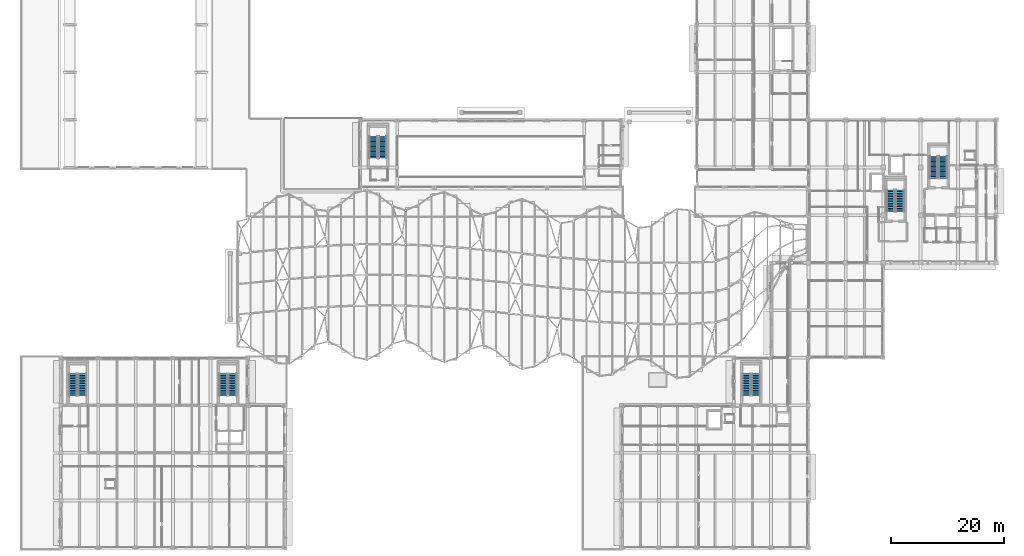
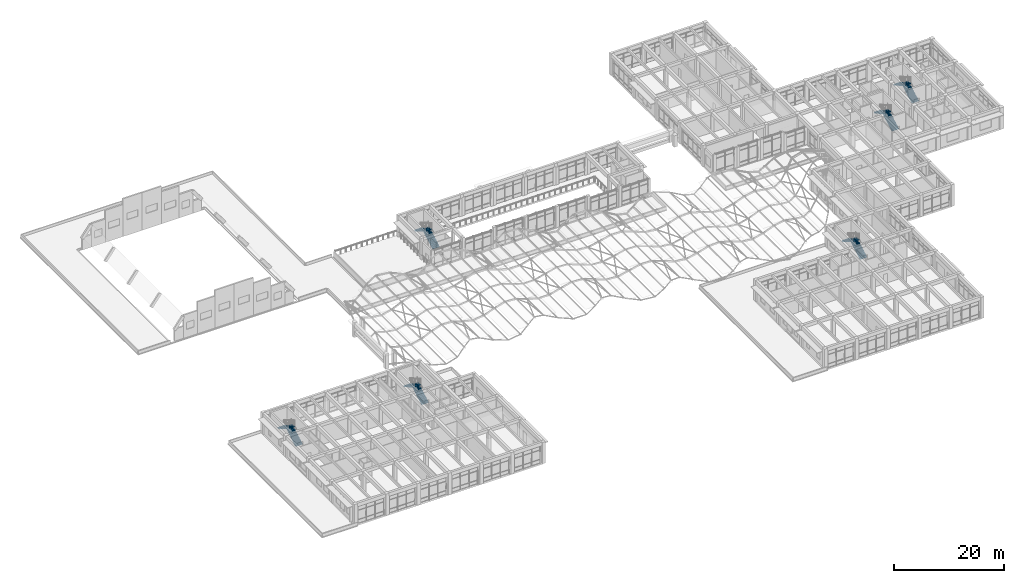
# One storey, part 62 of 79: 12 stair flights, 6 elements without a shape of their own.
"""IFC4 building model written with IfcOpenShell, lengths in metres."""

from ifc_helpers import new_model, si_unit, direction, frame, origin, place, context, subcontext, project, spatial, polyline, outline, extrude, material, type_object, element, aggregate, save


model = new_model("IFC4")

# Units and contexts
model_context = context("Model", 3, precision=1e-05, world=origin(), true_north=direction((0.0, 1.0)))
body_context = subcontext(model_context, "Body", "Model", "MODEL_VIEW")
ifc_project = project(units=[si_unit("LENGTHUNIT", "METRE"), si_unit("AREAUNIT", "SQUARE_METRE"), si_unit("VOLUMEUNIT", "CUBIC_METRE"), si_unit("PLANEANGLEUNIT", "RADIAN"), si_unit("MASSUNIT", "GRAM", prefix="KILO")], contexts=[model_context])

# Site, building, storey
site_placement = place(None, origin())
site = spatial("IfcSite", under=ifc_project, at=site_placement, CompositionType="ELEMENT")
building_placement = place(site_placement, origin())
building = spatial("IfcBuilding", under=site, at=building_placement, Name="Kolvaren Faculty of Natural Sciences", CompositionType="ELEMENT")
storey_placement = place(building_placement, frame((0.0, 0.0, 10.199951171875)))
storey = spatial("IfcBuildingStorey", under=building, at=storey_placement, Name="L02", CompositionType="ELEMENT", Elevation=10.199951171875)

# Stair, stair flights
ifc_material = material(Name="Concrete C35/45", Category="concrete")
stair_type = type_object("IfcStairType", Name="DoglegStair_H4800", PredefinedType="HALF_TURN_STAIR", material=ifc_material)
stair_1_placement = place(storey_placement, origin())
stair_1 = element("IfcStair", 1, at=stair_1_placement, inside=storey, type_object=stair_type, Name="L02 Protected exit stair ST-1", PredefinedType="HALF_TURN_STAIR")
stair_flight_type = type_object("IfcStairFlightType", Name="StairFlight_R1714", PredefinedType="STRAIGHT", material=ifc_material)
stair_flight_1_placement = place(storey_placement, frame((162.574951171875, 73.89990234375, 0.0), z_axis=(0.0, 0.0, 1.0), x_axis=(0.0, 1.0, 0.0)))
stair_flight_1 = element("IfcStairFlight", 2, at=stair_flight_1_placement, type_object=stair_flight_type, Name="ST-1 flight 1", NumberOfRisers=14, NumberOfTreads=13, PredefinedType="STRAIGHT", RiserHeight=0.171428571, TreadLength=0.295, context=body_context, shape_type="SweptSolid", body=[
    extrude(outline(polyline([(0.0, 0.0), (0.0, 0.17138671875), (0.294921875, 0.17138671875), (0.294921875, 0.3427734375), (0.590087890625, 0.3427734375), (0.590087890625, 0.514404296875), (0.885009765625, 0.514404296875), (0.885009765625, 0.685791015625), (1.179931640625, 0.685791015625), (1.179931640625, 0.857177734375), (1.47509765625, 0.857177734375), (1.47509765625, 1.028564453125), (1.77001953125, 1.028564453125), (1.77001953125, 1.199951171875), (2.06494140625, 1.199951171875), (2.06494140625, 1.371337890625), (2.360107421875, 1.371337890625), (2.360107421875, 1.54296875), (2.655029296875, 1.54296875), (2.655029296875, 1.71435546875), (2.949951171875, 1.71435546875), (2.949951171875, 1.8857421875), (3.2451171875, 1.8857421875), (3.2451171875, 2.05712890625), (3.5400390625, 2.05712890625), (3.5400390625, 2.228515625), (3.8349609375, 2.228515625), (3.8349609375, 2.39990234375), (3.8349609375, 2.05517578125), (0.29833984375, 0.0), (0.0, 0.0)])), frame((0.0, 0.72509765625, 0.0), z_axis=(0.0, -1.0, 0.0), x_axis=(1.0, 0.0, 0.0)), (0.0, 0.0, 1.0), 1.449951171875),
])
stair_flight_2_placement = place(storey_placement, frame((160.925048828125, 77.735107421875, 2.400146484375), z_axis=(0.0, 0.0, 1.0), x_axis=(0.0, -1.0, 0.0)))
stair_flight_2 = element("IfcStairFlight", 3, at=stair_flight_2_placement, type_object=stair_flight_type, Name="ST-1 flight 2", NumberOfRisers=14, NumberOfTreads=13, PredefinedType="STRAIGHT", RiserHeight=0.171428571, TreadLength=0.295, context=body_context, shape_type="SweptSolid", body=[
    extrude(outline(polyline([(0.0, 0.0), (0.0, 0.17138671875), (0.294921875, 0.17138671875), (0.294921875, 0.3427734375), (0.590087890625, 0.3427734375), (0.590087890625, 0.514404296875), (0.885009765625, 0.514404296875), (0.885009765625, 0.685791015625), (1.179931640625, 0.685791015625), (1.179931640625, 0.857177734375), (1.47509765625, 0.857177734375), (1.47509765625, 1.028564453125), (1.77001953125, 1.028564453125), (1.77001953125, 1.199951171875), (2.06494140625, 1.199951171875), (2.06494140625, 1.371337890625), (2.360107421875, 1.371337890625), (2.360107421875, 1.54296875), (2.655029296875, 1.54296875), (2.655029296875, 1.71435546875), (2.949951171875, 1.71435546875), (2.949951171875, 1.8857421875), (3.2451171875, 1.8857421875), (3.2451171875, 2.05712890625), (3.5400390625, 2.05712890625), (3.5400390625, 2.228515625), (3.8349609375, 2.228515625), (3.8349609375, 2.39990234375), (3.8349609375, 2.05517578125), (0.29833984375, 0.0), (0.0, 0.0)])), frame((0.0, 0.72509765625, 0.0), z_axis=(0.0, -1.0, 0.0), x_axis=(1.0, 0.0, 0.0)), (0.0, 0.0, 1.0), 1.449951171875),
])
aggregate(stair_1, [stair_flight_1, stair_flight_2])

stair_2_placement = place(storey_placement, origin())
stair_2 = element("IfcStair", 4, at=stair_2_placement, inside=storey, type_object=stair_type, Name="L02 Protected exit stair ST-2", PredefinedType="HALF_TURN_STAIR")
stair_flight_3_placement = place(storey_placement, frame((154.97509765625, 68.0, 0.0), z_axis=(0.0, 0.0, 1.0), x_axis=(0.0, 1.0, 0.0)))
stair_flight_3 = element("IfcStairFlight", 5, at=stair_flight_3_placement, type_object=stair_flight_type, Name="ST-2 flight 1", NumberOfRisers=14, NumberOfTreads=13, PredefinedType="STRAIGHT", RiserHeight=0.171428571, TreadLength=0.295, context=body_context, shape_type="SweptSolid", body=[
    extrude(outline(polyline([(0.0, 0.0), (0.0, 0.17138671875), (0.294921875, 0.17138671875), (0.294921875, 0.3427734375), (0.590087890625, 0.3427734375), (0.590087890625, 0.514404296875), (0.885009765625, 0.514404296875), (0.885009765625, 0.685791015625), (1.179931640625, 0.685791015625), (1.179931640625, 0.857177734375), (1.47509765625, 0.857177734375), (1.47509765625, 1.028564453125), (1.77001953125, 1.028564453125), (1.77001953125, 1.199951171875), (2.06494140625, 1.199951171875), (2.06494140625, 1.371337890625), (2.360107421875, 1.371337890625), (2.360107421875, 1.54296875), (2.655029296875, 1.54296875), (2.655029296875, 1.71435546875), (2.949951171875, 1.71435546875), (2.949951171875, 1.8857421875), (3.2451171875, 1.8857421875), (3.2451171875, 2.05712890625), (3.5400390625, 2.05712890625), (3.5400390625, 2.228515625), (3.8349609375, 2.228515625), (3.8349609375, 2.39990234375), (3.8349609375, 2.05517578125), (0.29833984375, 0.0), (0.0, 0.0)])), frame((0.0, 0.72509765625, 0.0), z_axis=(0.0, -1.0, 0.0), x_axis=(1.0, 0.0, 0.0)), (0.0, 0.0, 1.0), 1.449951171875),
])
stair_flight_4_placement = place(storey_placement, frame((153.324951171875, 71.8349609375, 2.400146484375), z_axis=(0.0, 0.0, 1.0), x_axis=(0.0, -1.0, 0.0)))
stair_flight_4 = element("IfcStairFlight", 6, at=stair_flight_4_placement, type_object=stair_flight_type, Name="ST-2 flight 2", NumberOfRisers=14, NumberOfTreads=13, PredefinedType="STRAIGHT", RiserHeight=0.171428571, TreadLength=0.295, context=body_context, shape_type="SweptSolid", body=[
    extrude(outline(polyline([(0.0, 0.0), (0.0, 0.17138671875), (0.294921875, 0.17138671875), (0.294921875, 0.3427734375), (0.590087890625, 0.3427734375), (0.590087890625, 0.514404296875), (0.885009765625, 0.514404296875), (0.885009765625, 0.685791015625), (1.179931640625, 0.685791015625), (1.179931640625, 0.857177734375), (1.47509765625, 0.857177734375), (1.47509765625, 1.028564453125), (1.77001953125, 1.028564453125), (1.77001953125, 1.199951171875), (2.06494140625, 1.199951171875), (2.06494140625, 1.371337890625), (2.360107421875, 1.371337890625), (2.360107421875, 1.54296875), (2.655029296875, 1.54296875), (2.655029296875, 1.71435546875), (2.949951171875, 1.71435546875), (2.949951171875, 1.8857421875), (3.2451171875, 1.8857421875), (3.2451171875, 2.05712890625), (3.5400390625, 2.05712890625), (3.5400390625, 2.228515625), (3.8349609375, 2.228515625), (3.8349609375, 2.39990234375), (3.8349609375, 2.05517578125), (0.29833984375, 0.0), (0.0, 0.0)])), frame((0.0, 0.72509765625, 0.0), z_axis=(0.0, -1.0, 0.0), x_axis=(1.0, 0.0, 0.0)), (0.0, 0.0, 1.0), 1.449951171875),
])
aggregate(stair_2, [stair_flight_3, stair_flight_4])

stair_3_placement = place(storey_placement, origin())
stair_3 = element("IfcStair", 7, at=stair_3_placement, inside=storey, type_object=stair_type, Name="L02 Protected exit stair ST-3", PredefinedType="HALF_TURN_STAIR")
stair_flight_5_placement = place(storey_placement, frame((129.52490234375, 35.550048828125, 0.0), z_axis=(0.0, 0.0, 1.0), x_axis=(0.0, 1.0, 0.0)))
stair_flight_5 = element("IfcStairFlight", 8, at=stair_flight_5_placement, type_object=stair_flight_type, Name="ST-3 flight 1", NumberOfRisers=14, NumberOfTreads=13, PredefinedType="STRAIGHT", RiserHeight=0.171428571, TreadLength=0.295, context=body_context, shape_type="SweptSolid", body=[
    extrude(outline(polyline([(0.0, 0.0), (0.0, 0.17138671875), (0.294921875, 0.17138671875), (0.294921875, 0.3427734375), (0.590087890625, 0.3427734375), (0.590087890625, 0.514404296875), (0.885009765625, 0.514404296875), (0.885009765625, 0.685791015625), (1.179931640625, 0.685791015625), (1.179931640625, 0.857177734375), (1.47509765625, 0.857177734375), (1.47509765625, 1.028564453125), (1.77001953125, 1.028564453125), (1.77001953125, 1.199951171875), (2.06494140625, 1.199951171875), (2.06494140625, 1.371337890625), (2.360107421875, 1.371337890625), (2.360107421875, 1.54296875), (2.655029296875, 1.54296875), (2.655029296875, 1.71435546875), (2.949951171875, 1.71435546875), (2.949951171875, 1.8857421875), (3.2451171875, 1.8857421875), (3.2451171875, 2.05712890625), (3.5400390625, 2.05712890625), (3.5400390625, 2.228515625), (3.8349609375, 2.228515625), (3.8349609375, 2.39990234375), (3.8349609375, 2.05517578125), (0.29833984375, 0.0), (0.0, 0.0)])), frame((0.0, 0.72509765625, 0.0), z_axis=(0.0, -1.0, 0.0), x_axis=(1.0, 0.0, 0.0)), (0.0, 0.0, 1.0), 1.449951171875),
])
stair_flight_6_placement = place(storey_placement, frame((127.875, 39.385009765625, 2.400146484375), z_axis=(0.0, 0.0, 1.0), x_axis=(0.0, -1.0, 0.0)))
stair_flight_6 = element("IfcStairFlight", 9, at=stair_flight_6_placement, type_object=stair_flight_type, Name="ST-3 flight 2", NumberOfRisers=14, NumberOfTreads=13, PredefinedType="STRAIGHT", RiserHeight=0.171428571, TreadLength=0.295, context=body_context, shape_type="SweptSolid", body=[
    extrude(outline(polyline([(0.0, 0.0), (0.0, 0.17138671875), (0.294921875, 0.17138671875), (0.294921875, 0.3427734375), (0.590087890625, 0.3427734375), (0.590087890625, 0.514404296875), (0.885009765625, 0.514404296875), (0.885009765625, 0.685791015625), (1.179931640625, 0.685791015625), (1.179931640625, 0.857177734375), (1.47509765625, 0.857177734375), (1.47509765625, 1.028564453125), (1.77001953125, 1.028564453125), (1.77001953125, 1.199951171875), (2.06494140625, 1.199951171875), (2.06494140625, 1.371337890625), (2.360107421875, 1.371337890625), (2.360107421875, 1.54296875), (2.655029296875, 1.54296875), (2.655029296875, 1.71435546875), (2.949951171875, 1.71435546875), (2.949951171875, 1.8857421875), (3.2451171875, 1.8857421875), (3.2451171875, 2.05712890625), (3.5400390625, 2.05712890625), (3.5400390625, 2.228515625), (3.8349609375, 2.228515625), (3.8349609375, 2.39990234375), (3.8349609375, 2.05517578125), (0.29833984375, 0.0), (0.0, 0.0)])), frame((0.0, 0.72509765625, 0.0), z_axis=(0.0, -1.0, 0.0), x_axis=(1.0, 0.0, 0.0)), (0.0, 0.0, 1.0), 1.449951171875),
])
aggregate(stair_3, [stair_flight_5, stair_flight_6])

stair_4_placement = place(storey_placement, origin())
stair_4 = element("IfcStair", 10, at=stair_4_placement, inside=storey, type_object=stair_type, Name="L02 Protected exit stair ST-4", PredefinedType="HALF_TURN_STAIR")
stair_flight_7_placement = place(storey_placement, frame((37.125, 35.550048828125, 0.0), z_axis=(0.0, 0.0, 1.0), x_axis=(0.0, 1.0, 0.0)))
stair_flight_7 = element("IfcStairFlight", 11, at=stair_flight_7_placement, type_object=stair_flight_type, Name="ST-4 flight 1", NumberOfRisers=14, NumberOfTreads=13, PredefinedType="STRAIGHT", RiserHeight=0.171428571, TreadLength=0.295, context=body_context, shape_type="SweptSolid", body=[
    extrude(outline(polyline([(0.0, 0.0), (0.0, 0.17138671875), (0.294921875, 0.17138671875), (0.294921875, 0.3427734375), (0.590087890625, 0.3427734375), (0.590087890625, 0.514404296875), (0.885009765625, 0.514404296875), (0.885009765625, 0.685791015625), (1.179931640625, 0.685791015625), (1.179931640625, 0.857177734375), (1.47509765625, 0.857177734375), (1.47509765625, 1.028564453125), (1.77001953125, 1.028564453125), (1.77001953125, 1.199951171875), (2.06494140625, 1.199951171875), (2.06494140625, 1.371337890625), (2.360107421875, 1.371337890625), (2.360107421875, 1.54296875), (2.655029296875, 1.54296875), (2.655029296875, 1.71435546875), (2.949951171875, 1.71435546875), (2.949951171875, 1.8857421875), (3.2451171875, 1.8857421875), (3.2451171875, 2.05712890625), (3.5400390625, 2.05712890625), (3.5400390625, 2.228515625), (3.8349609375, 2.228515625), (3.8349609375, 2.39990234375), (3.8349609375, 2.05517578125), (0.29833984375, 0.0), (0.0, 0.0)])), frame((0.0, 0.72509765625, 0.0), z_axis=(0.0, -1.0, 0.0), x_axis=(1.0, 0.0, 0.0)), (0.0, 0.0, 1.0), 1.449951171875),
])
stair_flight_8_placement = place(storey_placement, frame((35.47509765625, 39.385009765625, 2.400146484375), z_axis=(0.0, 0.0, 1.0), x_axis=(0.0, -1.0, 0.0)))
stair_flight_8 = element("IfcStairFlight", 12, at=stair_flight_8_placement, type_object=stair_flight_type, Name="ST-4 flight 2", NumberOfRisers=14, NumberOfTreads=13, PredefinedType="STRAIGHT", RiserHeight=0.171428571, TreadLength=0.295, context=body_context, shape_type="SweptSolid", body=[
    extrude(outline(polyline([(0.0, 0.0), (0.0, 0.17138671875), (0.294921875, 0.17138671875), (0.294921875, 0.3427734375), (0.590087890625, 0.3427734375), (0.590087890625, 0.514404296875), (0.885009765625, 0.514404296875), (0.885009765625, 0.685791015625), (1.179931640625, 0.685791015625), (1.179931640625, 0.857177734375), (1.47509765625, 0.857177734375), (1.47509765625, 1.028564453125), (1.77001953125, 1.028564453125), (1.77001953125, 1.199951171875), (2.06494140625, 1.199951171875), (2.06494140625, 1.371337890625), (2.360107421875, 1.371337890625), (2.360107421875, 1.54296875), (2.655029296875, 1.54296875), (2.655029296875, 1.71435546875), (2.949951171875, 1.71435546875), (2.949951171875, 1.8857421875), (3.2451171875, 1.8857421875), (3.2451171875, 2.05712890625), (3.5400390625, 2.05712890625), (3.5400390625, 2.228515625), (3.8349609375, 2.228515625), (3.8349609375, 2.39990234375), (3.8349609375, 2.05517578125), (0.29833984375, 0.0), (0.0, 0.0)])), frame((0.0, 0.72509765625, 0.0), z_axis=(0.0, -1.0, 0.0), x_axis=(1.0, 0.0, 0.0)), (0.0, 0.0, 1.0), 1.449951171875),
])
aggregate(stair_4, [stair_flight_7, stair_flight_8])

stair_5_placement = place(storey_placement, origin())
stair_5 = element("IfcStair", 13, at=stair_5_placement, inside=storey, type_object=stair_type, Name="L02 Protected exit stair ST-6", PredefinedType="HALF_TURN_STAIR")
stair_flight_9_placement = place(storey_placement, frame((63.625, 77.449951171875, 0.0), z_axis=(0.0, 0.0, 1.0), x_axis=(0.0, 1.0, 0.0)))
stair_flight_9 = element("IfcStairFlight", 14, at=stair_flight_9_placement, type_object=stair_flight_type, Name="ST-6 flight 1", NumberOfRisers=14, NumberOfTreads=13, PredefinedType="STRAIGHT", RiserHeight=0.171428571, TreadLength=0.295, context=body_context, shape_type="SweptSolid", body=[
    extrude(outline(polyline([(0.0, 0.0), (0.0, 0.17138671875), (0.294921875, 0.17138671875), (0.294921875, 0.3427734375), (0.590087890625, 0.3427734375), (0.590087890625, 0.514404296875), (0.885009765625, 0.514404296875), (0.885009765625, 0.685791015625), (1.179931640625, 0.685791015625), (1.179931640625, 0.857177734375), (1.47509765625, 0.857177734375), (1.47509765625, 1.028564453125), (1.77001953125, 1.028564453125), (1.77001953125, 1.199951171875), (2.06494140625, 1.199951171875), (2.06494140625, 1.371337890625), (2.360107421875, 1.371337890625), (2.360107421875, 1.54296875), (2.655029296875, 1.54296875), (2.655029296875, 1.71435546875), (2.949951171875, 1.71435546875), (2.949951171875, 1.8857421875), (3.2451171875, 1.8857421875), (3.2451171875, 2.05712890625), (3.5400390625, 2.05712890625), (3.5400390625, 2.228515625), (3.8349609375, 2.228515625), (3.8349609375, 2.39990234375), (3.8349609375, 2.05517578125), (0.29833984375, 0.0), (0.0, 0.0)])), frame((0.0, 0.72509765625, 0.0), z_axis=(0.0, -1.0, 0.0), x_axis=(1.0, 0.0, 0.0)), (0.0, 0.0, 1.0), 1.449951171875),
])
stair_flight_10_placement = place(storey_placement, frame((61.97509765625, 81.284912109375, 2.400146484375), z_axis=(0.0, 0.0, 1.0), x_axis=(0.0, -1.0, 0.0)))
stair_flight_10 = element("IfcStairFlight", 15, at=stair_flight_10_placement, type_object=stair_flight_type, Name="ST-6 flight 2", NumberOfRisers=14, NumberOfTreads=13, PredefinedType="STRAIGHT", RiserHeight=0.171428571, TreadLength=0.295, context=body_context, shape_type="SweptSolid", body=[
    extrude(outline(polyline([(0.0, 0.0), (0.0, 0.17138671875), (0.294921875, 0.17138671875), (0.294921875, 0.3427734375), (0.590087890625, 0.3427734375), (0.590087890625, 0.514404296875), (0.885009765625, 0.514404296875), (0.885009765625, 0.685791015625), (1.179931640625, 0.685791015625), (1.179931640625, 0.857177734375), (1.47509765625, 0.857177734375), (1.47509765625, 1.028564453125), (1.77001953125, 1.028564453125), (1.77001953125, 1.199951171875), (2.06494140625, 1.199951171875), (2.06494140625, 1.371337890625), (2.360107421875, 1.371337890625), (2.360107421875, 1.54296875), (2.655029296875, 1.54296875), (2.655029296875, 1.71435546875), (2.949951171875, 1.71435546875), (2.949951171875, 1.8857421875), (3.2451171875, 1.8857421875), (3.2451171875, 2.05712890625), (3.5400390625, 2.05712890625), (3.5400390625, 2.228515625), (3.8349609375, 2.228515625), (3.8349609375, 2.39990234375), (3.8349609375, 2.05517578125), (0.29833984375, 0.0), (0.0, 0.0)])), frame((0.0, 0.72509765625, 0.0), z_axis=(0.0, -1.0, 0.0), x_axis=(1.0, 0.0, 0.0)), (0.0, 0.0, 1.0), 1.449951171875),
])
aggregate(stair_5, [stair_flight_9, stair_flight_10])

stair_6_placement = place(storey_placement, origin())
stair_6 = element("IfcStair", 16, at=stair_6_placement, inside=storey, type_object=stair_type, Name="L02 Protected exit stair ST-8", PredefinedType="HALF_TURN_STAIR")
stair_flight_11_placement = place(storey_placement, frame((10.574951171875, 35.550048828125, 0.0), z_axis=(0.0, 0.0, 1.0), x_axis=(0.0, 1.0, 0.0)))
stair_flight_11 = element("IfcStairFlight", 17, at=stair_flight_11_placement, type_object=stair_flight_type, Name="ST-8 flight 1", NumberOfRisers=14, NumberOfTreads=13, PredefinedType="STRAIGHT", RiserHeight=0.171428571, TreadLength=0.295, context=body_context, shape_type="SweptSolid", body=[
    extrude(outline(polyline([(0.0, 0.0), (0.0, 0.17138671875), (0.294921875, 0.17138671875), (0.294921875, 0.3427734375), (0.590087890625, 0.3427734375), (0.590087890625, 0.514404296875), (0.885009765625, 0.514404296875), (0.885009765625, 0.685791015625), (1.179931640625, 0.685791015625), (1.179931640625, 0.857177734375), (1.47509765625, 0.857177734375), (1.47509765625, 1.028564453125), (1.77001953125, 1.028564453125), (1.77001953125, 1.199951171875), (2.06494140625, 1.199951171875), (2.06494140625, 1.371337890625), (2.360107421875, 1.371337890625), (2.360107421875, 1.54296875), (2.655029296875, 1.54296875), (2.655029296875, 1.71435546875), (2.949951171875, 1.71435546875), (2.949951171875, 1.8857421875), (3.2451171875, 1.8857421875), (3.2451171875, 2.05712890625), (3.5400390625, 2.05712890625), (3.5400390625, 2.228515625), (3.8349609375, 2.228515625), (3.8349609375, 2.39990234375), (3.8349609375, 2.05517578125), (0.29833984375, 0.0), (0.0, 0.0)])), frame((0.0, 0.72509765625, 0.0), z_axis=(0.0, -1.0, 0.0), x_axis=(1.0, 0.0, 0.0)), (0.0, 0.0, 1.0), 1.449951171875),
])
stair_flight_12_placement = place(storey_placement, frame((8.925048828125, 39.385009765625, 2.400146484375), z_axis=(0.0, 0.0, 1.0), x_axis=(0.0, -1.0, 0.0)))
stair_flight_12 = element("IfcStairFlight", 18, at=stair_flight_12_placement, type_object=stair_flight_type, Name="ST-8 flight 2", NumberOfRisers=14, NumberOfTreads=13, PredefinedType="STRAIGHT", RiserHeight=0.171428571, TreadLength=0.295, context=body_context, shape_type="SweptSolid", body=[
    extrude(outline(polyline([(0.0, 0.0), (0.0, 0.17138671875), (0.294921875, 0.17138671875), (0.294921875, 0.3427734375), (0.590087890625, 0.3427734375), (0.590087890625, 0.514404296875), (0.885009765625, 0.514404296875), (0.885009765625, 0.685791015625), (1.179931640625, 0.685791015625), (1.179931640625, 0.857177734375), (1.47509765625, 0.857177734375), (1.47509765625, 1.028564453125), (1.77001953125, 1.028564453125), (1.77001953125, 1.199951171875), (2.06494140625, 1.199951171875), (2.06494140625, 1.371337890625), (2.360107421875, 1.371337890625), (2.360107421875, 1.54296875), (2.655029296875, 1.54296875), (2.655029296875, 1.71435546875), (2.949951171875, 1.71435546875), (2.949951171875, 1.8857421875), (3.2451171875, 1.8857421875), (3.2451171875, 2.05712890625), (3.5400390625, 2.05712890625), (3.5400390625, 2.228515625), (3.8349609375, 2.228515625), (3.8349609375, 2.39990234375), (3.8349609375, 2.05517578125), (0.29833984375, 0.0), (0.0, 0.0)])), frame((0.0, 0.72509765625, 0.0), z_axis=(0.0, -1.0, 0.0), x_axis=(1.0, 0.0, 0.0)), (0.0, 0.0, 1.0), 1.449951171875),
])
aggregate(stair_6, [stair_flight_11, stair_flight_12])

save(model, "model.ifc")
